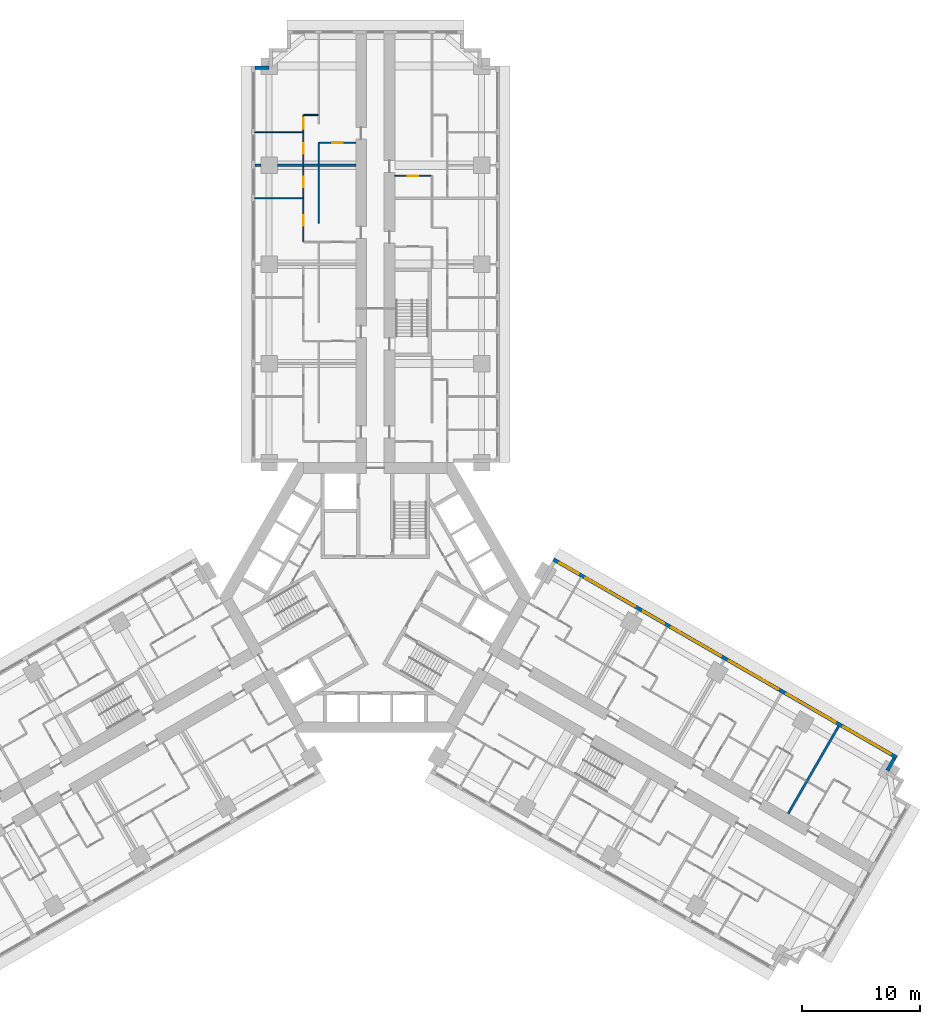
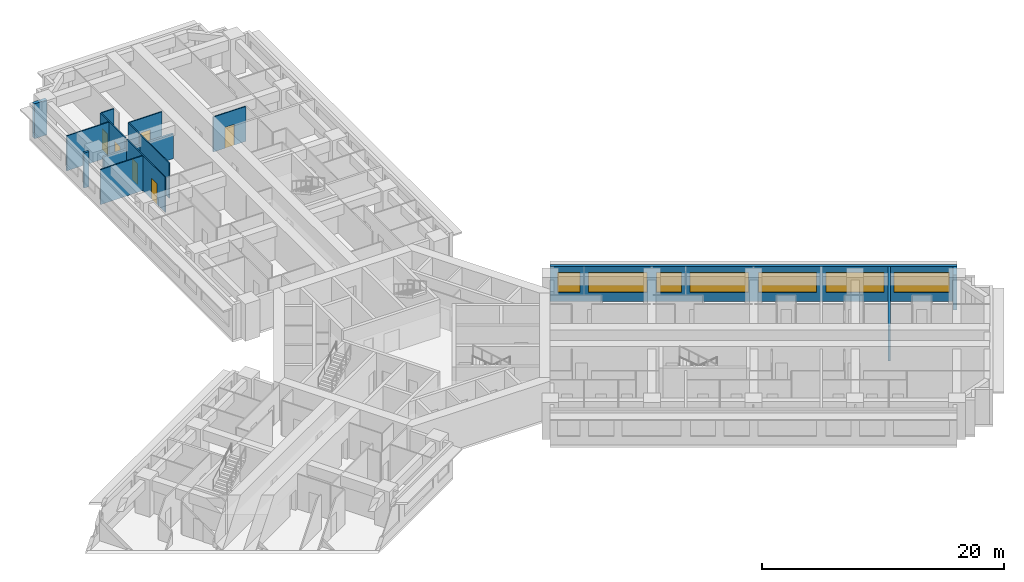
# One storey, part 13 of 16: 15 walls, 7 windows, 6 doors, 13 openings.
"""IFC4 building model written with IfcOpenShell, lengths in metres."""

import ifcopenshell
import ifcopenshell.guid

model = None  # the IFC model being written
_history = None  # IfcOwnerHistory: only IFC2X3 demands one
_inside = {}  # id of a spatial element -> (the spatial element, [elements in it])
_under = {}  # id of a project, library or spatial element -> (it, [spatial elements below it])
_declared = {}  # id of a project -> (the project, [libraries it declares])
_typed = {}  # id of a type object -> (the type object, [elements of that type])
_made_of = {}  # id of a material, layer set ... -> (it, [elements and type objects made of it])


def new_model(schema):
    """Start an empty IFC model of exactly this schema.

    Asked for "IFC4X3", IfcOpenShell would pick the latest addendum, in which some entities
    have other attributes; the version numbers below select the first issue.
    IFC2X3 requires an IfcOwnerHistory on every rooted entity: one is made here for all.
    """
    global model, _history
    if schema == "IFC4X3":
        model = ifcopenshell.file(schema_version=(4, 3, 0, 0))
    else:
        model = ifcopenshell.file(schema=schema)
    _inside.clear()
    _under.clear()
    _declared.clear()
    _typed.clear()
    _made_of.clear()
    _history = None
    if model.schema == "IFC2X3":
        org = make("IfcOrganization", Name="unknown")
        user = make(
            "IfcPersonAndOrganization",
            ThePerson=make("IfcPerson", FamilyName="unknown"),
            TheOrganization=org,
        )
        app = make(
            "IfcApplication",
            ApplicationDeveloper=org,
            Version="unknown",
            ApplicationFullName="unknown",
            ApplicationIdentifier="unknown",
        )
        _history = make(
            "IfcOwnerHistory",
            OwningUser=user,
            OwningApplication=app,
            ChangeAction="ADDED",
            CreationDate=0,
        )
    return model


def make(cls, **values):
    """One entity of the class cls with the attributes given. An attribute that is None is left unset."""
    return model.create_entity(
        cls, **{name: value for name, value in values.items() if value is not None}
    )


def rooted(cls, **values):
    """An entity with a GlobalId (a new one), such as an element, a storey or a relation."""
    return make(cls, GlobalId=ifcopenshell.guid.new(), OwnerHistory=_history, **values)


def si_unit(unit_type, name, prefix=None):
    """IfcSIUnit, for example si_unit("LENGTHUNIT", "METRE", prefix="MILLI")."""
    return make("IfcSIUnit", UnitType=unit_type, Prefix=prefix, Name=name)


def assignment(units):
    """IfcUnitAssignment: the units of a project."""
    return None if units is None else make("IfcUnitAssignment", Units=units)


def point(xyz):
    """IfcCartesianPoint."""
    return None if xyz is None else make("IfcCartesianPoint", Coordinates=xyz)


def direction(xyz):
    """IfcDirection."""
    return None if xyz is None else make("IfcDirection", DirectionRatios=xyz)


def frame(location, z_axis=None, x_axis=None):
    """IfcAxis2Placement3D, a coordinate frame: its origin and axes. An axis left out is left unset."""
    return make(
        "IfcAxis2Placement3D",
        Location=point(location),
        Axis=direction(z_axis),
        RefDirection=direction(x_axis),
    )


def frame_2d(location, x_axis=None):
    """IfcAxis2Placement2D, a coordinate frame in the plane: its origin and x axis."""
    return make(
        "IfcAxis2Placement2D", Location=point(location), RefDirection=direction(x_axis)
    )


def origin():
    """The frame at (0, 0, 0) with its axes left unset."""
    return frame((0.0, 0.0, 0.0))


def place(relative_to, where):
    """IfcLocalPlacement: puts the frame where relative to a parent placement (None: the world)."""
    return make(
        "IfcLocalPlacement", PlacementRelTo=relative_to, RelativePlacement=where
    )


def context(
    kind, dimensions, precision=None, world=None, true_north=None, identifier=None
):
    """IfcGeometricRepresentationContext, for example the 3D "Model" context."""
    return make(
        "IfcGeometricRepresentationContext",
        ContextIdentifier=identifier,
        ContextType=kind,
        CoordinateSpaceDimension=dimensions,
        Precision=precision,
        WorldCoordinateSystem=world,
        TrueNorth=true_north,
    )


def subcontext(parent, identifier, kind, view, scale=None):
    """IfcGeometricRepresentationSubContext, for example "Body" below "Model"."""
    return make(
        "IfcGeometricRepresentationSubContext",
        ContextIdentifier=identifier,
        ContextType=kind,
        ParentContext=parent,
        TargetScale=scale,
        TargetView=view,
    )


def project(units=None, contexts=None):
    """IfcProject with its units and contexts."""
    return rooted(
        "IfcProject",
        Name="project",
        RepresentationContexts=contexts,
        UnitsInContext=assignment(units),
    )


def spatial(cls, under=None, at=None, **own):
    """A site, building, storey or space (cls), placed at a placement, below another one or the project."""
    s = rooted(cls, ObjectPlacement=at, **own)
    if under is not None:
        _under.setdefault(under.id(), (under, []))[1].append(s)
    return s


def profile(cls, at=None, kind="AREA", **sizes):
    """A parametric profile (cls). Its sizes go by their IFC names, for example OverallWidth=200.0."""
    return make(cls, ProfileType=kind, Position=at, **sizes)


def rectangle(**sizes):
    """IfcRectangleProfileDef."""
    return profile("IfcRectangleProfileDef", **sizes)


def extrude(swept, where, along, depth):
    """IfcExtrudedAreaSolid: the profile swept, set in the frame where, extruded along a direction by depth."""
    return make(
        "IfcExtrudedAreaSolid",
        SweptArea=swept,
        Position=where,
        ExtrudedDirection=direction(along),
        Depth=depth,
    )


def shape(context_of_items, identifier, shape_type, items):
    """IfcShapeRepresentation: the items that make up one representation, for example the "Body"."""
    return make(
        "IfcShapeRepresentation",
        ContextOfItems=context_of_items,
        RepresentationIdentifier=identifier,
        RepresentationType=shape_type,
        Items=items,
    )


def material(Name=None, Category=None):
    """IfcMaterial."""
    return make("IfcMaterial", Name=Name, Category=Category)


def layer(
    of_material, thickness, ventilated=None, Name=None, Category=None, Priority=None
):
    """IfcMaterialLayer: one layer of a wall or slab, of a material (None: an air gap)."""
    return make(
        "IfcMaterialLayer",
        Material=of_material,
        LayerThickness=thickness,
        IsVentilated=ventilated,
        Name=Name,
        Category=Category,
        Priority=Priority,
    )


def layer_set(layers, Name=None):
    """IfcMaterialLayerSet."""
    return make("IfcMaterialLayerSet", MaterialLayers=layers, LayerSetName=Name)


def made_of(thing, what):
    """Note that an element or type object is made of a material, layer set ...; save() writes the relation."""
    if what is not None:
        _made_of.setdefault(what.id(), (what, []))[1].append(thing)
    return thing


def type_object(cls, material=None, **own):
    """A type object (cls), such as IfcWallType, which elements share."""
    return made_of(rooted(cls, **own), material)


def element(
    cls,
    number,
    at=None,
    inside=None,
    cuts=None,
    type_object=None,
    material=None,
    context=None,
    identifier="Body",
    shape_type=None,
    held_by="IfcProductDefinitionShape",
    body=None,
    shapes=None,
    **own,
):
    """One element of the class cls, such as IfcWall. Its Tag is "e" and its number.

    at: its placement. inside: the storey or other place that contains it. cuts: it is an
    opening in that element (IfcRelVoidsElement). A single representation is given by context,
    identifier, shape_type and body (its items); several are given by shapes. held_by: the class
    of the entity that holds the representations. save() writes the other relations.
    """
    e = rooted(cls, Tag="e%d" % number, ObjectPlacement=at, **own)
    if body is not None:
        shapes = [shape(context, identifier, shape_type, body)]
    if shapes is not None:
        e.Representation = make(held_by, Representations=shapes)
    if inside is not None:
        _inside.setdefault(inside.id(), (inside, []))[1].append(e)
    if cuts is not None:
        rooted(
            "IfcRelVoidsElement", RelatingBuildingElement=cuts, RelatedOpeningElement=e
        )
    if type_object is not None:
        _typed.setdefault(type_object.id(), (type_object, []))[1].append(e)
    return made_of(e, material)


def fill(opening, filler):
    """IfcRelFillsElement: the door or window that sits in an opening."""
    return rooted(
        "IfcRelFillsElement",
        RelatingOpeningElement=opening,
        RelatedBuildingElement=filler,
    )


def aggregate(whole, parts):
    """IfcRelAggregates: a whole, such as a stair, and the parts it consists of."""
    return rooted("IfcRelAggregates", RelatingObject=whole, RelatedObjects=parts)


def save(model, path):
    """Write the relations noted so far, then the file.

    IfcRelAggregates (storeys below a building ...), IfcRelContainedInSpatialStructure (elements
    in a storey), IfcRelDefinesByType, IfcRelAssociatesMaterial and IfcRelDeclares: one each for
    every whole, place, type object, material and project.
    """
    for whole, parts in _under.values():
        aggregate(whole, parts)
    for where, things in _inside.values():
        rooted(
            "IfcRelContainedInSpatialStructure",
            RelatedElements=things,
            RelatingStructure=where,
        )
    for kind, things in _typed.values():
        rooted("IfcRelDefinesByType", RelatedObjects=things, RelatingType=kind)
    for what, things in _made_of.values():
        rooted("IfcRelAssociatesMaterial", RelatedObjects=things, RelatingMaterial=what)
    for by, libraries in _declared.values():
        rooted("IfcRelDeclares", RelatingContext=by, RelatedDefinitions=libraries)
    model.write(path)


model = new_model("IFC4")

# Units and contexts
model_context = context("Model", 3, precision=1e-05, world=origin(), true_north=direction((0.0, 1.0)))
body_context = subcontext(model_context, "Body", "Model", "MODEL_VIEW")
ifc_project = project(units=[si_unit("LENGTHUNIT", "METRE"), si_unit("AREAUNIT", "SQUARE_METRE"), si_unit("VOLUMEUNIT", "CUBIC_METRE"), si_unit("PLANEANGLEUNIT", "RADIAN"), si_unit("MASSUNIT", "GRAM", prefix="KILO")], contexts=[model_context])

# Site, building, storey
site_placement = place(None, origin())
site = spatial("IfcSite", under=ifc_project, at=site_placement, CompositionType="ELEMENT")
building_placement = place(site_placement, origin())
building = spatial("IfcBuilding", under=site, at=building_placement, Name="Impinga Residences", CompositionType="ELEMENT")
storey_placement = place(building_placement, frame((0.0, 0.0, 71.0)))
storey = spatial("IfcBuildingStorey", under=building, at=storey_placement, Name="L17", CompositionType="ELEMENT", Elevation=71.0)

# Wall
ifc_material_1 = material(Name="Terracotta rainscreen on blockwork", Category="masonry")
ifc_layer_1 = layer(ifc_material_1, 0.300048828125)
ifc_layer_set_1 = layer_set([ifc_layer_1], Name="EW1 external wall, terracotta rainscreen on blockwork 300")
wall_type_1 = type_object("IfcWallType", Name="EW1 external wall, terracotta rainscreen on blockwork 300", PredefinedType="SOLIDWALL", material=ifc_layer_set_1)
wall_1_placement = place(storey_placement, frame((-10.199951171875, 44.881591796875, 0.0), z_axis=(0.0, 0.0, 1.0), x_axis=(1.0, 0.0, 0.0)))
element("IfcWall", 1, at=wall_1_placement, inside=storey, type_object=wall_type_1, Name="External wall EW1 L17", PredefinedType="SOLIDWALL", context=body_context, shape_type="SweptSolid", body=[
    extrude(rectangle(XDim=1.199951171875, YDim=0.300048828125, at=frame_2d((0.60009765625, 0.0))), origin(), (0.0, 0.0, 1.0), 3.530029296875),
])

# Wall, openings, windows
wall_2_placement = place(storey_placement, frame((15.074951171875, 3.24755859375, 0.0), z_axis=(0.0, 0.0, 1.0), x_axis=(0.866024291668, -0.500001926238, 0.0)))
wall_2 = element("IfcWall", 2, at=wall_2_placement, inside=storey, type_object=wall_type_1, Name="External wall EW1 L17", PredefinedType="SOLIDWALL", context=body_context, shape_type="SweptSolid", body=[
    extrude(rectangle(XDim=33.599853515625, YDim=0.300048828125, at=frame_2d((16.7998046875, 0.0))), origin(), (0.0, 0.0, 1.0), 3.530029296875),
])
opening_1_placement = place(wall_2_placement, frame((0.60009765625, 0.0, 0.89990234375)))
opening_1 = element("IfcOpeningElement", 3, at=opening_1_placement, cuts=wall_2, Name="Opening W15", PredefinedType="OPENING", context=body_context, shape_type="SweptSolid", body=[
    extrude(rectangle(XDim=1.85009765625, YDim=2.050048828125, at=frame_2d((0.925048828125, 1.02490234375))), frame((0.0, 0.159912109375, 0.0), z_axis=(0.0, -1.0, 0.0), x_axis=(1.0, 0.0, 0.0)), (0.0, 0.0, 1.0), 0.320068359375),
])
opening_2_placement = place(wall_2_placement, frame((3.14990234375, 0.0, 0.89990234375)))
opening_2 = element("IfcOpeningElement", 4, at=opening_2_placement, cuts=wall_2, Name="Opening W6", PredefinedType="OPENING", context=body_context, shape_type="SweptSolid", body=[
    extrude(rectangle(XDim=4.85009765625, YDim=2.050048828125, at=frame_2d((2.425048828125, 1.02490234375))), frame((0.0, 0.159912109375, 0.0), z_axis=(0.0, -1.0, 0.0), x_axis=(1.0, 0.0, 0.0)), (0.0, 0.0, 1.0), 0.320068359375),
])
opening_3_placement = place(wall_2_placement, frame((8.800048828125, 0.0, 0.89990234375)))
opening_3 = element("IfcOpeningElement", 5, at=opening_3_placement, cuts=wall_2, Name="Opening W14", PredefinedType="OPENING", context=body_context, shape_type="SweptSolid", body=[
    extrude(rectangle(XDim=2.050048828125, YDim=2.050048828125, at=frame_2d((1.02490234375, 1.02490234375))), frame((0.0, 0.159912109375, 0.0), z_axis=(0.0, -1.0, 0.0), x_axis=(1.0, 0.0, 0.0)), (0.0, 0.0, 1.0), 0.320068359375),
])
opening_4_placement = place(wall_2_placement, frame((11.550048828125, 0.0, 0.89990234375)))
opening_4 = element("IfcOpeningElement", 6, at=opening_4_placement, cuts=wall_2, Name="Opening W6", PredefinedType="OPENING", context=body_context, shape_type="SweptSolid", body=[
    extrude(rectangle(XDim=4.85009765625, YDim=2.050048828125, at=frame_2d((2.425048828125, 1.02490234375))), frame((0.0, 0.159912109375, 0.0), z_axis=(0.0, -1.0, 0.0), x_axis=(1.0, 0.0, 0.0)), (0.0, 0.0, 1.0), 0.320068359375),
])
opening_5_placement = place(wall_2_placement, frame((17.199951171875, 0.0, 0.89990234375)))
opening_5 = element("IfcOpeningElement", 7, at=opening_5_placement, cuts=wall_2, Name="Opening W8", PredefinedType="OPENING", context=body_context, shape_type="SweptSolid", body=[
    extrude(rectangle(XDim=4.800048828125, YDim=2.050048828125, at=frame_2d((2.39990234375, 1.02490234375))), frame((0.0, 0.159912109375, 0.0), z_axis=(0.0, -1.0, 0.0), x_axis=(1.0, 0.0, 0.0)), (0.0, 0.0, 1.0), 0.320068359375),
])
opening_6_placement = place(wall_2_placement, frame((22.800048828125, 0.0, 0.89990234375)))
opening_6 = element("IfcOpeningElement", 8, at=opening_6_placement, cuts=wall_2, Name="Opening W8", PredefinedType="OPENING", context=body_context, shape_type="SweptSolid", body=[
    extrude(rectangle(XDim=4.800048828125, YDim=2.050048828125, at=frame_2d((2.39990234375, 1.02490234375))), frame((0.0, 0.159912109375, 0.0), z_axis=(0.0, -1.0, 0.0), x_axis=(1.0, 0.0, 0.0)), (0.0, 0.0, 1.0), 0.320068359375),
])
opening_7_placement = place(wall_2_placement, frame((28.39990234375, 0.0, 0.89990234375)))
opening_7 = element("IfcOpeningElement", 9, at=opening_7_placement, cuts=wall_2, Name="Opening W3", PredefinedType="OPENING", context=body_context, shape_type="SweptSolid", body=[
    extrude(rectangle(XDim=4.60009765625, YDim=2.050048828125, at=frame_2d((2.300048828125, 1.02490234375))), frame((0.0, 0.159912109375, 0.0), z_axis=(0.0, -1.0, 0.0), x_axis=(1.0, 0.0, 0.0)), (0.0, 0.0, 1.0), 0.320068359375),
])
ifc_material_2 = material(Name="Aluminium window, clear double glazing", Category="aluminium")
window_type_1 = type_object("IfcWindowType", Name="W14 ribbon window 2050x2050", PartitioningType="SINGLE_PANEL", PredefinedType="WINDOW", material=ifc_material_2)
window_1_placement = place(opening_3_placement, origin())
window_1 = element("IfcWindow", 10, at=window_1_placement, inside=storey, type_object=window_type_1, Name="Window L17", OverallHeight=2.050048828125, OverallWidth=2.050048828125, PartitioningType="SINGLE_PANEL", PredefinedType="WINDOW", context=body_context, shape_type="SweptSolid", body=[
    extrude(rectangle(XDim=2.050048828125, YDim=2.050048828125, at=frame_2d((1.02490234375, 1.02490234375))), frame((0.0, 0.030029296875, 0.0), z_axis=(0.0, -1.0, 0.0), x_axis=(1.0, 0.0, 0.0)), (0.0, 0.0, 1.0), 0.06005859375),
])
fill(opening_3, window_1)
window_type_2 = type_object("IfcWindowType", Name="W15 ribbon window 1850x2050", PartitioningType="SINGLE_PANEL", PredefinedType="WINDOW", material=ifc_material_2)
window_2_placement = place(opening_1_placement, origin())
window_2 = element("IfcWindow", 11, at=window_2_placement, inside=storey, type_object=window_type_2, Name="Window L17", OverallHeight=2.050048828125, OverallWidth=1.85009765625, PartitioningType="SINGLE_PANEL", PredefinedType="WINDOW", context=body_context, shape_type="SweptSolid", body=[
    extrude(rectangle(XDim=1.85009765625, YDim=2.050048828125, at=frame_2d((0.925048828125, 1.02490234375))), frame((0.0, 0.030029296875, 0.0), z_axis=(0.0, -1.0, 0.0), x_axis=(1.0, 0.0, 0.0)), (0.0, 0.0, 1.0), 0.06005859375),
])
fill(opening_1, window_2)
window_type_3 = type_object("IfcWindowType", Name="W3 ribbon window 4600x2050", PartitioningType="SINGLE_PANEL", PredefinedType="WINDOW", material=ifc_material_2)
window_3_placement = place(opening_7_placement, origin())
window_3 = element("IfcWindow", 12, at=window_3_placement, inside=storey, type_object=window_type_3, Name="Window L17", OverallHeight=2.050048828125, OverallWidth=4.60009765625, PartitioningType="SINGLE_PANEL", PredefinedType="WINDOW", context=body_context, shape_type="SweptSolid", body=[
    extrude(rectangle(XDim=4.60009765625, YDim=2.050048828125, at=frame_2d((2.300048828125, 1.02490234375))), frame((0.0, 0.030029296875, 0.0), z_axis=(0.0, -1.0, 0.0), x_axis=(1.0, 0.0, 0.0)), (0.0, 0.0, 1.0), 0.06005859375),
])
fill(opening_7, window_3)
window_type_4 = type_object("IfcWindowType", Name="W6 ribbon window 4850x2050", PartitioningType="SINGLE_PANEL", PredefinedType="WINDOW", material=ifc_material_2)
window_4_placement = place(opening_2_placement, origin())
window_4 = element("IfcWindow", 13, at=window_4_placement, inside=storey, type_object=window_type_4, Name="Window L17", OverallHeight=2.050048828125, OverallWidth=4.85009765625, PartitioningType="SINGLE_PANEL", PredefinedType="WINDOW", context=body_context, shape_type="SweptSolid", body=[
    extrude(rectangle(XDim=4.85009765625, YDim=2.050048828125, at=frame_2d((2.425048828125, 1.02490234375))), frame((0.0, 0.030029296875, 0.0), z_axis=(0.0, -1.0, 0.0), x_axis=(1.0, 0.0, 0.0)), (0.0, 0.0, 1.0), 0.06005859375),
])
fill(opening_2, window_4)
window_5_placement = place(opening_4_placement, origin())
window_5 = element("IfcWindow", 14, at=window_5_placement, inside=storey, type_object=window_type_4, Name="Window L17", OverallHeight=2.050048828125, OverallWidth=4.85009765625, PartitioningType="SINGLE_PANEL", PredefinedType="WINDOW", context=body_context, shape_type="SweptSolid", body=[
    extrude(rectangle(XDim=4.85009765625, YDim=2.050048828125, at=frame_2d((2.425048828125, 1.02490234375))), frame((0.0, 0.030029296875, 0.0), z_axis=(0.0, -1.0, 0.0), x_axis=(1.0, 0.0, 0.0)), (0.0, 0.0, 1.0), 0.06005859375),
])
fill(opening_4, window_5)
window_type_5 = type_object("IfcWindowType", Name="W8 ribbon window 4800x2050", PartitioningType="SINGLE_PANEL", PredefinedType="WINDOW", material=ifc_material_2)
window_6_placement = place(opening_5_placement, origin())
window_6 = element("IfcWindow", 15, at=window_6_placement, inside=storey, type_object=window_type_5, Name="Window L17", OverallHeight=2.050048828125, OverallWidth=4.800048828125, PartitioningType="SINGLE_PANEL", PredefinedType="WINDOW", context=body_context, shape_type="SweptSolid", body=[
    extrude(rectangle(XDim=4.800048828125, YDim=2.050048828125, at=frame_2d((2.39990234375, 1.02490234375))), frame((0.0, 0.030029296875, 0.0), z_axis=(0.0, -1.0, 0.0), x_axis=(1.0, 0.0, 0.0)), (0.0, 0.0, 1.0), 0.06005859375),
])
fill(opening_5, window_6)
window_7_placement = place(opening_6_placement, origin())
window_7 = element("IfcWindow", 16, at=window_7_placement, inside=storey, type_object=window_type_5, Name="Window L17", OverallHeight=2.050048828125, OverallWidth=4.800048828125, PartitioningType="SINGLE_PANEL", PredefinedType="WINDOW", context=body_context, shape_type="SweptSolid", body=[
    extrude(rectangle(XDim=4.800048828125, YDim=2.050048828125, at=frame_2d((2.39990234375, 1.02490234375))), frame((0.0, 0.030029296875, 0.0), z_axis=(0.0, -1.0, 0.0), x_axis=(1.0, 0.0, 0.0)), (0.0, 0.0, 1.0), 0.06005859375),
])
fill(opening_6, window_7)

# Walls
wall_3_placement = place(storey_placement, frame((43.968505859375, -13.607421875, 0.0), z_axis=(0.0, 0.0, 1.0), x_axis=(-0.500029051137, -0.866008630453, 0.0)))
element("IfcWall", 17, at=wall_3_placement, inside=storey, type_object=wall_type_1, Name="External wall EW1 L17", PredefinedType="SOLIDWALL", context=body_context, shape_type="SweptSolid", body=[
    extrude(rectangle(XDim=1.19482421875, YDim=0.300048828125, at=frame_2d((0.597412109375, 0.0))), origin(), (0.0, 0.0, 1.0), 3.530029296875),
])
ifc_material_3 = material(Name="Gypsum board on steel studs", Category="steel")
ifc_layer_2 = layer(ifc_material_3, 0.10009765625)
ifc_layer_set_2 = layer_set([ifc_layer_2], Name="Gypsum board on steel studs")
wall_type_2 = type_object("IfcWallType", Name="IP1 partition 100", PredefinedType="PARTITIONING", material=ifc_layer_set_2)
wall_4_placement = place(storey_placement, frame((-4.800048828125, 31.7314453125, 0.0), z_axis=(0.0, 0.0, 1.0), x_axis=(0.0, 1.0, 0.0)))
element("IfcWall", 18, at=wall_4_placement, inside=storey, type_object=wall_type_2, Name="Partition L17-NA3:DIV1", PredefinedType="PARTITIONING", context=body_context, shape_type="SweptSolid", body=[
    extrude(rectangle(XDim=4.800048828125, YDim=0.10009765625, at=frame_2d((2.39990234375, 0.0))), origin(), (0.0, 0.0, 1.0), 3.530029296875),
])

# Wall, openings, doors
wall_5_placement = place(storey_placement, frame((-6.10009765625, 30.131591796875, 0.0), z_axis=(0.0, 0.0, 1.0), x_axis=(0.0, 1.0, 0.0)))
wall_5 = element("IfcWall", 19, at=wall_5_placement, inside=storey, type_object=wall_type_2, Name="Partition L17-NA3:STRIP", PredefinedType="PARTITIONING", context=body_context, shape_type="SweptSolid", body=[
    extrude(rectangle(XDim=6.39990234375, YDim=0.10009765625, at=frame_2d((3.199951171875, 0.0))), origin(), (0.0, 0.0, 1.0), 3.530029296875),
])
opening_8_placement = place(wall_5_placement, frame((1.375, 0.0, 0.0)))
opening_8 = element("IfcOpeningElement", 20, at=opening_8_placement, cuts=wall_5, Name="Opening D2", PredefinedType="OPENING", context=body_context, shape_type="SweptSolid", body=[
    extrude(rectangle(XDim=0.89990234375, YDim=2.10009765625, at=frame_2d((0.449951171875, 1.050048828125))), frame((0.0, 0.06005859375, 0.0), z_axis=(0.0, -1.0, 0.0), x_axis=(1.0, 0.0, 0.0)), (0.0, 0.0, 1.0), 0.1201171875),
])
opening_9_placement = place(wall_5_placement, frame((4.625, 0.0, 0.0)))
opening_9 = element("IfcOpeningElement", 21, at=opening_9_placement, cuts=wall_5, Name="Opening D2", PredefinedType="OPENING", context=body_context, shape_type="SweptSolid", body=[
    extrude(rectangle(XDim=0.89990234375, YDim=2.10009765625, at=frame_2d((0.449951171875, 1.050048828125))), frame((0.0, 0.06005859375, 0.0), z_axis=(0.0, -1.0, 0.0), x_axis=(1.0, 0.0, 0.0)), (0.0, 0.0, 1.0), 0.1201171875),
])
ifc_material_4 = material(Name="Timber door set", Category="wood")
door_type = type_object("IfcDoorType", Name="D2 internal door 900x2100", OperationType="SINGLE_SWING_LEFT", PredefinedType="DOOR", material=ifc_material_4)
door_1_placement = place(opening_8_placement, origin())
door_1 = element("IfcDoor", 22, at=door_1_placement, inside=storey, type_object=door_type, Name="Apartment L17-NA3 room door", OperationType="SINGLE_SWING_LEFT", OverallHeight=2.10009765625, OverallWidth=0.89990234375, PredefinedType="DOOR", context=body_context, shape_type="SweptSolid", body=[
    extrude(rectangle(XDim=0.89990234375, YDim=2.10009765625, at=frame_2d((0.449951171875, 1.050048828125))), frame((0.0, 0.02490234375, 0.0), z_axis=(0.0, -1.0, 0.0), x_axis=(1.0, 0.0, 0.0)), (0.0, 0.0, 1.0), 0.050048828125),
])
fill(opening_8, door_1)
door_2_placement = place(opening_9_placement, origin())
door_2 = element("IfcDoor", 23, at=door_2_placement, inside=storey, type_object=door_type, Name="Apartment L17-NA3 room door", OperationType="SINGLE_SWING_RIGHT", OverallHeight=2.10009765625, OverallWidth=0.89990234375, PredefinedType="DOOR", context=body_context, shape_type="SweptSolid", body=[
    extrude(rectangle(XDim=0.89990234375, YDim=2.10009765625, at=frame_2d((0.449951171875, 1.050048828125))), frame((0.0, 0.02490234375, 0.0), z_axis=(0.0, -1.0, 0.0), x_axis=(1.0, 0.0, 0.0)), (0.0, 0.0, 1.0), 0.050048828125),
])
fill(opening_9, door_2)

# Walls
wall_6_placement = place(storey_placement, frame((-6.14990234375, 33.83154296875, 0.0), z_axis=(0.0, 0.0, 1.0), x_axis=(-1.0, 0.0, 0.0)))
element("IfcWall", 24, at=wall_6_placement, inside=storey, type_object=wall_type_2, Name="Partition L17-NA3:OB1", PredefinedType="PARTITIONING", context=body_context, shape_type="SweptSolid", body=[
    extrude(rectangle(XDim=4.050048828125, YDim=0.10009765625, at=frame_2d((2.02490234375, 0.0))), origin(), (0.0, 0.0, 1.0), 3.530029296875),
])
wall_7_placement = place(storey_placement, frame((-4.800048828125, 36.7314453125, 0.0), z_axis=(0.0, 0.0, 1.0), x_axis=(0.0, 1.0, 0.0)))
element("IfcWall", 25, at=wall_7_placement, inside=storey, type_object=wall_type_2, Name="Partition L17-NA4:DIV0", PredefinedType="PARTITIONING", context=body_context, shape_type="SweptSolid", body=[
    extrude(rectangle(XDim=1.800048828125, YDim=0.10009765625, at=frame_2d((0.89990234375, 0.0))), origin(), (0.0, 0.0, 1.0), 3.530029296875),
])

# Wall, openings, doors
wall_8_placement = place(storey_placement, frame((-6.10009765625, 36.7314453125, 0.0), z_axis=(0.0, 0.0, 1.0), x_axis=(0.0, 1.0, 0.0)))
wall_8 = element("IfcWall", 26, at=wall_8_placement, inside=storey, type_object=wall_type_2, Name="Partition L17-NA4:STRIP", PredefinedType="PARTITIONING", context=body_context, shape_type="SweptSolid", body=[
    extrude(rectangle(XDim=4.150146484375, YDim=0.10009765625, at=frame_2d((2.0751953125, 0.0))), origin(), (0.0, 0.0, 1.0), 3.530029296875),
])
opening_10_placement = place(wall_8_placement, frame((0.875, 0.0, 0.0)))
opening_10 = element("IfcOpeningElement", 27, at=opening_10_placement, cuts=wall_8, Name="Opening D2", PredefinedType="OPENING", context=body_context, shape_type="SweptSolid", body=[
    extrude(rectangle(XDim=0.89990234375, YDim=2.10009765625, at=frame_2d((0.449951171875, 1.050048828125))), frame((0.0, 0.06005859375, 0.0), z_axis=(0.0, -1.0, 0.0), x_axis=(1.0, 0.0, 0.0)), (0.0, 0.0, 1.0), 0.1201171875),
])
opening_11_placement = place(wall_8_placement, frame((3.0, 0.0, 0.0)))
opening_11 = element("IfcOpeningElement", 28, at=opening_11_placement, cuts=wall_8, Name="Opening D2", PredefinedType="OPENING", context=body_context, shape_type="SweptSolid", body=[
    extrude(rectangle(XDim=0.89990234375, YDim=2.10009765625, at=frame_2d((0.449951171875, 1.050048828125))), frame((0.0, 0.06005859375, 0.0), z_axis=(0.0, -1.0, 0.0), x_axis=(1.0, 0.0, 0.0)), (0.0, 0.0, 1.0), 0.1201171875),
])
door_3_placement = place(opening_10_placement, origin())
door_3 = element("IfcDoor", 29, at=door_3_placement, inside=storey, type_object=door_type, Name="Apartment L17-NA4 room door", OperationType="SINGLE_SWING_LEFT", OverallHeight=2.10009765625, OverallWidth=0.89990234375, PredefinedType="DOOR", context=body_context, shape_type="SweptSolid", body=[
    extrude(rectangle(XDim=0.89990234375, YDim=2.10009765625, at=frame_2d((0.449951171875, 1.050048828125))), frame((0.0, 0.02490234375, 0.0), z_axis=(0.0, -1.0, 0.0), x_axis=(1.0, 0.0, 0.0)), (0.0, 0.0, 1.0), 0.050048828125),
])
fill(opening_10, door_3)
door_4_placement = place(opening_11_placement, origin())
door_4 = element("IfcDoor", 30, at=door_4_placement, inside=storey, type_object=door_type, Name="Apartment L17-NA4 room door", OperationType="SINGLE_SWING_RIGHT", OverallHeight=2.10009765625, OverallWidth=0.89990234375, PredefinedType="DOOR", context=body_context, shape_type="SweptSolid", body=[
    extrude(rectangle(XDim=0.89990234375, YDim=2.10009765625, at=frame_2d((0.449951171875, 1.050048828125))), frame((0.0, 0.02490234375, 0.0), z_axis=(0.0, -1.0, 0.0), x_axis=(1.0, 0.0, 0.0)), (0.0, 0.0, 1.0), 0.050048828125),
])
fill(opening_11, door_4)

# Wall
wall_9_placement = place(storey_placement, frame((-4.85009765625, 40.881591796875, 0.0), z_axis=(0.0, 0.0, 1.0), x_axis=(-1.0, 0.0, 0.0)))
element("IfcWall", 31, at=wall_9_placement, inside=storey, type_object=wall_type_2, Name="Partition L17-NA4:SE1", PredefinedType="PARTITIONING", context=body_context, shape_type="SweptSolid", body=[
    extrude(rectangle(XDim=1.199951171875, YDim=0.10009765625, at=frame_2d((0.60009765625, 0.0))), origin(), (0.0, 0.0, 1.0), 3.530029296875),
])

# Wall, opening, door
wall_10_placement = place(storey_placement, frame((-1.64990234375, 38.531494140625, 0.0), z_axis=(0.0, 0.0, 1.0), x_axis=(-1.0, 0.0, 0.0)))
wall_10 = element("IfcWall", 32, at=wall_10_placement, inside=storey, type_object=wall_type_2, Name="Partition L17-NA4:IB1", PredefinedType="PARTITIONING", context=body_context, shape_type="SweptSolid", body=[
    extrude(rectangle(XDim=3.10009765625, YDim=0.10009765625, at=frame_2d((1.550048828125, 0.0))), origin(), (0.0, 0.0, 1.0), 3.530029296875),
])
opening_12_placement = place(wall_10_placement, frame((1.10009765625, 0.0, 0.0)))
opening_12 = element("IfcOpeningElement", 33, at=opening_12_placement, cuts=wall_10, Name="Opening D2", PredefinedType="OPENING", context=body_context, shape_type="SweptSolid", body=[
    extrude(rectangle(XDim=0.89990234375, YDim=2.10009765625, at=frame_2d((0.449951171875, 1.050048828125))), frame((0.0, 0.06005859375, 0.0), z_axis=(0.0, -1.0, 0.0), x_axis=(1.0, 0.0, 0.0)), (0.0, 0.0, 1.0), 0.1201171875),
])
door_5_placement = place(opening_12_placement, origin())
door_5 = element("IfcDoor", 34, at=door_5_placement, inside=storey, type_object=door_type, Name="Apartment L17-NA4 bathroom door", OperationType="SINGLE_SWING_LEFT", OverallHeight=2.10009765625, OverallWidth=0.89990234375, PredefinedType="DOOR", context=body_context, shape_type="SweptSolid", body=[
    extrude(rectangle(XDim=0.89990234375, YDim=2.10009765625, at=frame_2d((0.449951171875, 1.050048828125))), frame((0.0, 0.02490234375, 0.0), z_axis=(0.0, -1.0, 0.0), x_axis=(1.0, 0.0, 0.0)), (0.0, 0.0, 1.0), 0.050048828125),
])
fill(opening_12, door_5)

# Wall
wall_11_placement = place(storey_placement, frame((-6.14990234375, 39.431640625, 0.0), z_axis=(0.0, 0.0, 1.0), x_axis=(-1.0, 0.0, 0.0)))
element("IfcWall", 35, at=wall_11_placement, inside=storey, type_object=wall_type_2, Name="Partition L17-NA4:OB1", PredefinedType="PARTITIONING", context=body_context, shape_type="SweptSolid", body=[
    extrude(rectangle(XDim=4.050048828125, YDim=0.10009765625, at=frame_2d((2.02490234375, 0.0))), origin(), (0.0, 0.0, 1.0), 3.530029296875),
])

# Wall, opening, door
wall_12_placement = place(storey_placement, frame((1.64990234375, 35.7314453125, 0.0), z_axis=(0.0, 0.0, 1.0), x_axis=(1.0, 0.0, 0.0)))
wall_12 = element("IfcWall", 36, at=wall_12_placement, inside=storey, type_object=wall_type_2, Name="Partition L17-NF3:IB1", PredefinedType="PARTITIONING", context=body_context, shape_type="SweptSolid", body=[
    extrude(rectangle(XDim=3.10009765625, YDim=0.10009765625, at=frame_2d((1.550048828125, 0.0))), origin(), (0.0, 0.0, 1.0), 3.530029296875),
])
opening_13_placement = place(wall_12_placement, frame((1.10009765625, 0.0, 0.0)))
opening_13 = element("IfcOpeningElement", 37, at=opening_13_placement, cuts=wall_12, Name="Opening D2", PredefinedType="OPENING", context=body_context, shape_type="SweptSolid", body=[
    extrude(rectangle(XDim=0.89990234375, YDim=2.10009765625, at=frame_2d((0.449951171875, 1.050048828125))), frame((0.0, 0.06005859375, 0.0), z_axis=(0.0, -1.0, 0.0), x_axis=(1.0, 0.0, 0.0)), (0.0, 0.0, 1.0), 0.1201171875),
])
door_6_placement = place(opening_13_placement, origin())
door_6 = element("IfcDoor", 38, at=door_6_placement, inside=storey, type_object=door_type, Name="Apartment L17-NF3 bathroom door", OperationType="SINGLE_SWING_LEFT", OverallHeight=2.10009765625, OverallWidth=0.89990234375, PredefinedType="DOOR", context=body_context, shape_type="SweptSolid", body=[
    extrude(rectangle(XDim=0.89990234375, YDim=2.10009765625, at=frame_2d((0.449951171875, 1.050048828125))), frame((0.0, 0.02490234375, 0.0), z_axis=(0.0, -1.0, 0.0), x_axis=(1.0, 0.0, 0.0)), (0.0, 0.0, 1.0), 0.050048828125),
])
fill(opening_13, door_6)

# Walls
ifc_material_5 = material(Name="Concrete blockwork", Category="masonry")
ifc_layer_3 = layer(ifc_material_5, 0.199951171875)
ifc_layer_set_3 = layer_set([ifc_layer_3], Name="PW1 party wall between apartments 200")
wall_type_3 = type_object("IfcWallType", Name="PW1 party wall between apartments 200", PredefinedType="SOLIDWALL", material=ifc_layer_set_3)
wall_13_placement = place(storey_placement, frame((-1.64990234375, 36.631591796875, 0.0), z_axis=(0.0, 0.0, 1.0), x_axis=(-1.0, 0.0, 0.0)))
element("IfcWall", 39, at=wall_13_placement, inside=storey, type_object=wall_type_3, Name="Party wall between apartments L17-NA3:PARTY", PredefinedType="SOLIDWALL", context=body_context, shape_type="SweptSolid", body=[
    extrude(rectangle(XDim=6.650146484375, YDim=0.199951171875, at=frame_2d((3.3251953125, 0.0))), origin(), (0.0, 0.0, 1.0), 2.47998046875),
])
wall_14_placement = place(storey_placement, frame((-9.699951171875, 36.631591796875, 0.0), z_axis=(0.0, 0.0, 1.0), x_axis=(-1.0, 0.0, 0.0)))
element("IfcWall", 40, at=wall_14_placement, inside=storey, type_object=wall_type_3, Name="Party wall between apartments L17-NA3:PARTYb", PredefinedType="SOLIDWALL", context=body_context, shape_type="SweptSolid", body=[
    extrude(rectangle(XDim=0.5, YDim=0.199951171875, at=frame_2d((0.25, 0.0))), origin(), (0.0, 0.0, 1.0), 3.530029296875),
])
wall_15_placement = place(storey_placement, frame((34.9736328125, -18.286865234375, 0.0), z_axis=(0.0, 0.0, 1.0), x_axis=(0.500011643316, 0.866018681408, 0.0)))
element("IfcWall", 41, at=wall_15_placement, inside=storey, type_object=wall_type_3, Name="Party wall between apartments L17-EA4:PARTY", PredefinedType="SOLIDWALL", context=body_context, shape_type="SweptSolid", body=[
    extrude(rectangle(XDim=8.550048828125, YDim=0.199951171875, at=frame_2d((4.27490234375, 0.0))), origin(), (0.0, 0.0, 1.0), 3.530029296875),
])

save(model, "model.ifc")
